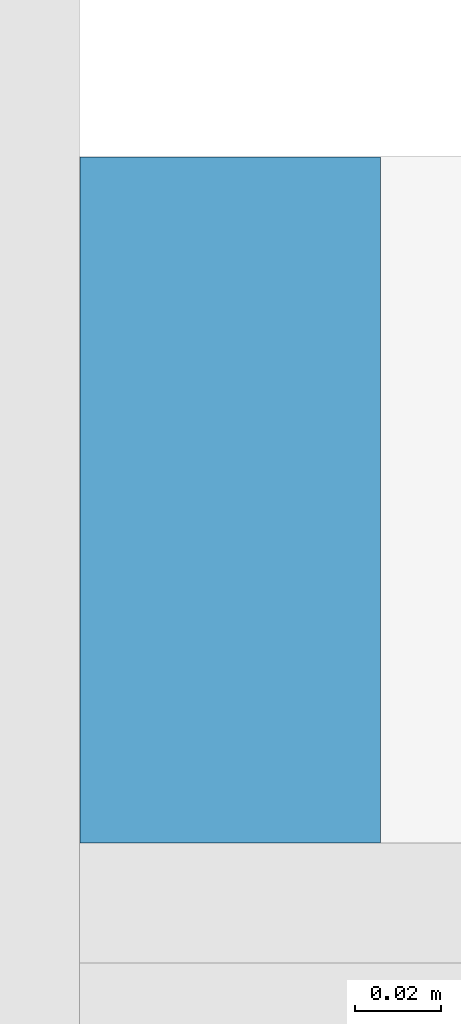
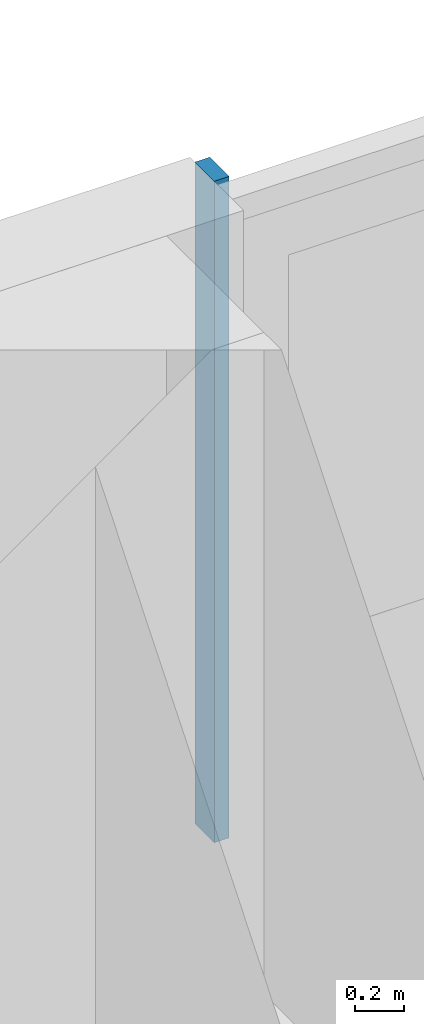
# One storey, part 10 of 27: 1 member, 1 element without a shape of its own.
"""IFC4 building model written with IfcOpenShell, lengths in metres."""

from ifc_helpers import new_model, si_unit, direction, frame, origin, origin_2d, place, context, subcontext, project, spatial, rectangle, extrude, material, material_profile, profile_set, type_object, element, aggregate, save


model = new_model("IFC4")

# Units and contexts
model_context = context("Model", 3, precision=1e-05, world=origin(), true_north=direction((0.0, 1.0)))
body_context = subcontext(model_context, "Body", "Model", "MODEL_VIEW")
ifc_project = project(units=[si_unit("LENGTHUNIT", "METRE"), si_unit("AREAUNIT", "SQUARE_METRE"), si_unit("VOLUMEUNIT", "CUBIC_METRE"), si_unit("PLANEANGLEUNIT", "RADIAN"), si_unit("MASSUNIT", "GRAM", prefix="KILO")], contexts=[model_context])

# Site, building, storey
site_placement = place(None, origin())
site = spatial("IfcSite", under=ifc_project, at=site_placement, CompositionType="ELEMENT")
building_placement = place(site_placement, origin())
building = spatial("IfcBuilding", under=site, at=building_placement, Name="Saffron Gate Tower", CompositionType="ELEMENT")
storey_placement = place(building_placement, frame((0.0, 0.0, 172.64990234375)))
storey = spatial("IfcBuildingStorey", under=building, at=storey_placement, Name="L42", CompositionType="ELEMENT", Elevation=172.64990234375)

# Curtain wall, member
ifc_material = material(Name="Aluminium, bronze anodised", Category="aluminium")
curtain_wall_type = type_object("IfcCurtainWallType", Name="CWS3 curtain wall rear facade", PredefinedType="NOTDEFINED", material=ifc_material)
curtain_wall_placement = place(storey_placement, origin())
curtain_wall = element("IfcCurtainWall", 1, at=curtain_wall_placement, inside=storey, type_object=curtain_wall_type, Name="CWS3 run 7", PredefinedType="NOTDEFINED")
ifc_material_profile = material_profile(ifc_material, rectangle(XDim=0.159912109375, YDim=0.070068359375, at=origin_2d()))
ifc_profile_set = profile_set([ifc_material_profile], Name="Aluminium, bronze anodised")
member_type = type_object("IfcMemberType", Name="CWS3 mullion 70x160", PredefinedType="MULLION", material=ifc_profile_set)
member_placement = place(storey_placement, frame((108.60009765625, 75.52001953125, 0.0), z_axis=(0.0, 0.0, 1.0), x_axis=(0.0, -1.0, 0.0)))
member = element("IfcMember", 2, at=member_placement, type_object=member_type, Name="CWS3 mullion 3", PredefinedType="MULLION", context=body_context, shape_type="SweptSolid", body=[
    extrude(rectangle(XDim=0.159912109375, YDim=0.070068359375, at=origin_2d()), origin(), (0.0, 0.0, 1.0), 3.320068359375),
])
aggregate(curtain_wall, [member])

save(model, "model.ifc")
